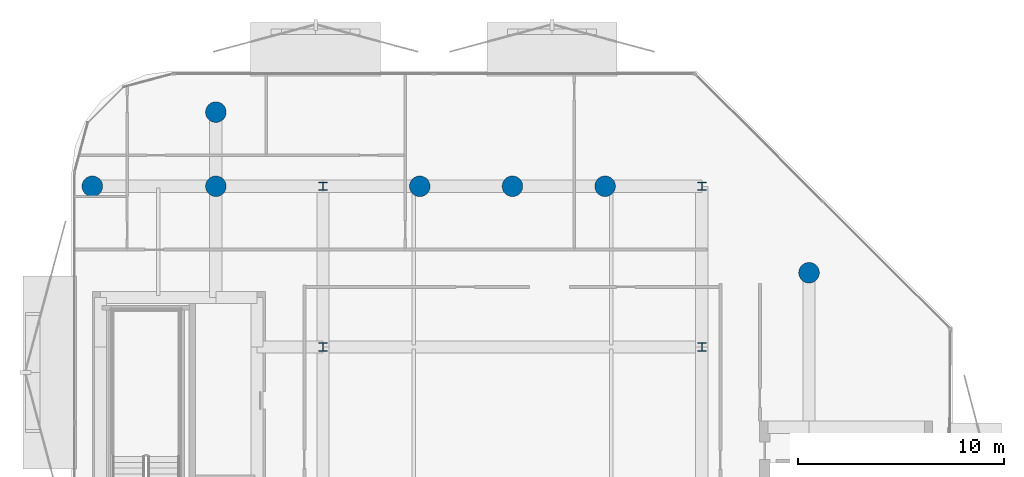
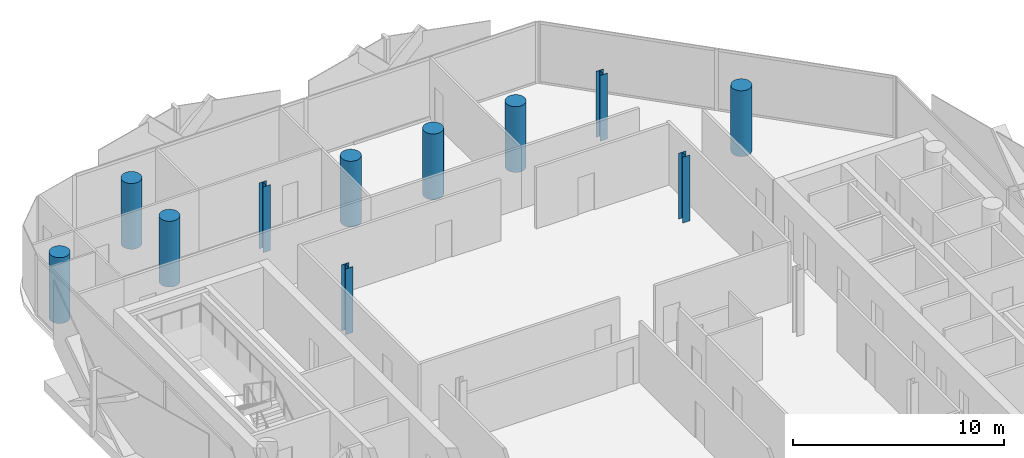
# One storey, part 2 of 16: 11 columns.
"""IFC4 building model written with IfcOpenShell, lengths in metres."""

from ifc_helpers import new_model, si_unit, direction, frame, origin, origin_2d, place, context, subcontext, project, spatial, circle, i_section, extrude, material, material_profile, profile_set, type_object, element, save


model = new_model("IFC4")

# Units and contexts
model_context = context("Model", 3, precision=1e-05, world=origin(), true_north=direction((0.0, 1.0)))
body_context = subcontext(model_context, "Body", "Model", "MODEL_VIEW")
ifc_project = project(units=[si_unit("LENGTHUNIT", "METRE"), si_unit("AREAUNIT", "SQUARE_METRE"), si_unit("VOLUMEUNIT", "CUBIC_METRE"), si_unit("PLANEANGLEUNIT", "RADIAN"), si_unit("MASSUNIT", "GRAM", prefix="KILO")], contexts=[model_context])

# Site, building, storey
site_placement = place(None, origin())
site = spatial("IfcSite", under=ifc_project, at=site_placement, CompositionType="ELEMENT")
building_placement = place(site_placement, origin())
building = spatial("IfcBuilding", under=site, at=building_placement, Name="Khairoan Windgate Tower", CompositionType="ELEMENT")
storey_placement = place(building_placement, frame((0.0, 0.0, 292.800048828125)))
storey = spatial("IfcBuildingStorey", under=building, at=storey_placement, Name="L70", CompositionType="ELEMENT", Elevation=292.800048828125)

# Columns
ifc_material_1 = material(Name="Concrete C60/75", Category="concrete")
ifc_material_profile_1 = material_profile(ifc_material_1, circle(Radius=0.5, at=origin_2d()))
ifc_profile_set_1 = profile_set([ifc_material_profile_1], Name="Concrete C60/75")
column_type_1 = type_object("IfcColumnType", Name="Column C-P1 RC-D1000", PredefinedType="COLUMN", material=ifc_profile_set_1)
for number, where, z_axis, x_axis, name in (
    (1, (-20.39990234375, 18.60009765625, 0.0), (0.0, 0.0, 1.0), (1.0, 0.0, 0.0), "Column L70-11"),
    (2, (-14.39990234375, 18.60009765625, 0.0), (0.0, 0.0, 1.0), (1.0, 0.0, 0.0), "Column L70-14"),
    (3, (14.39990234375, 14.39990234375, 0.0), (0.0, 0.0, 1.0), (1.0, 0.0, 0.0), "Column L70-16"),
    (4, (-4.5, 18.60009765625, 0.0), (0.0, 0.0, 1.0), (1.0, 0.0, 0.0), "Column L70-20"),
    (5, (0.0, 18.60009765625, 0.0), (0.0, 0.0, 1.0), (1.0, 0.0, 0.0), "Column L70-21"),
    (6, (4.5, 18.60009765625, 0.0), (0.0, 0.0, 1.0), (1.0, 0.0, 0.0), "Column L70-22"),
    (7, (-14.39990234375, 22.199951171875, 0.0), (0.0, 0.0, 1.0), (1.0, 0.0, 0.0), "Column L70-28"),
):
    element("IfcColumn", number, at=place(storey_placement, frame(where, z_axis=z_axis, x_axis=x_axis)), inside=storey, type_object=column_type_1, Name=name, PredefinedType="COLUMN", context=body_context, shape_type="SweptSolid", body=[
        extrude(circle(Radius=0.5, at=origin_2d()), origin(), (0.0, 0.0, 1.0), 3.800048828125),
    ])
ifc_material_2 = material(Name="Steel S355", Category="steel")
ifc_material_profile_2 = material_profile(ifc_material_2, i_section(OverallWidth=0.39990234375, OverallDepth=0.39990234375, WebThickness=0.012939453125, FlangeThickness=0.02099609375, FilletRadius=0.02197265625, at=origin_2d()))
ifc_profile_set_2 = profile_set([ifc_material_profile_2], Name="Steel S355")
column_type_2 = type_object("IfcColumnType", Name="Steel Column SC4 H400x400x13x21", PredefinedType="COLUMN", material=ifc_profile_set_2)
for number, where, z_axis, x_axis, name in (
    (8, (-9.199951171875, 10.800048828125, 0.0), (0.0, 0.0, 1.0), (1.0, 0.0, 0.0), "Column L70-04"),
    (9, (-9.199951171875, 18.60009765625, 0.0), (0.0, 0.0, 1.0), (1.0, 0.0, 0.0), "Column L70-05"),
    (10, (9.199951171875, 10.800048828125, 0.0), (0.0, 0.0, 1.0), (1.0, 0.0, 0.0), "Column L70-09"),
    (11, (9.199951171875, 18.60009765625, 0.0), (0.0, 0.0, 1.0), (1.0, 0.0, 0.0), "Column L70-10"),
):
    element("IfcColumn", number, at=place(storey_placement, frame(where, z_axis=z_axis, x_axis=x_axis)), inside=storey, type_object=column_type_2, Name=name, PredefinedType="COLUMN", context=body_context, shape_type="SweptSolid", body=[
        extrude(i_section(OverallWidth=0.39990234375, OverallDepth=0.39990234375, WebThickness=0.012939453125, FlangeThickness=0.02099609375, FilletRadius=0.02197265625, at=origin_2d()), origin(), (0.0, 0.0, 1.0), 3.800048828125),
    ])

save(model, "model.ifc")
